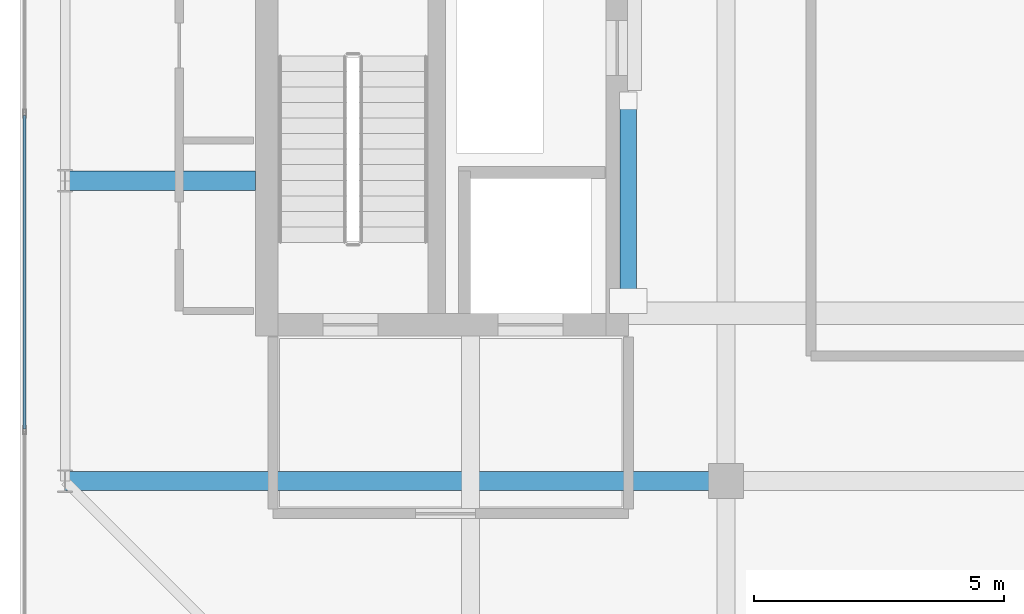
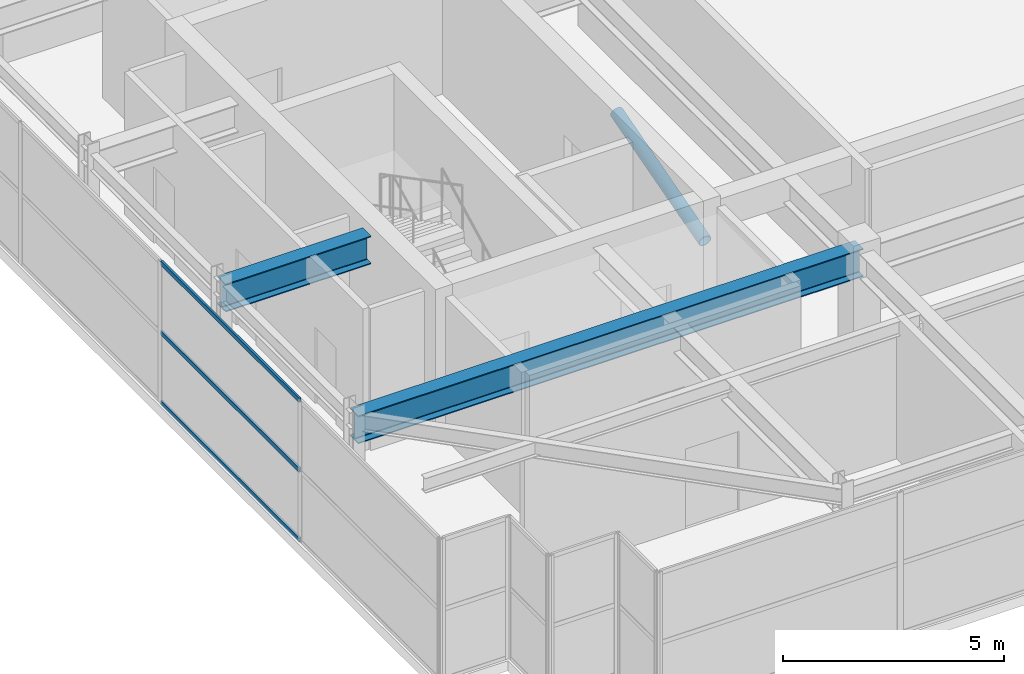
# One storey, part 6 of 32: 4 members, 2 beams, 1 element without a shape of its own.
"""IFC4 building model written with IfcOpenShell, lengths in metres."""

from ifc_helpers import new_model, si_unit, direction, frame, origin, origin_2d, place, context, subcontext, project, spatial, hollow_rectangle, hollow_circle, i_section, extrude, source, transform, mapped, material, layer, layer_set, material_profile, profile_set, type_object, element, aggregate, save


model = new_model("IFC4")

# Units and contexts
model_context = context("Model", 3, precision=1e-05, world=origin(), true_north=direction((0.0, 1.0)))
body_context = subcontext(model_context, "Body", "Model", "MODEL_VIEW")
ifc_project = project(units=[si_unit("LENGTHUNIT", "METRE"), si_unit("AREAUNIT", "SQUARE_METRE"), si_unit("VOLUMEUNIT", "CUBIC_METRE"), si_unit("PLANEANGLEUNIT", "RADIAN"), si_unit("MASSUNIT", "GRAM", prefix="KILO")], contexts=[model_context])

# Site, building, storey
site_placement = place(None, origin())
site = spatial("IfcSite", under=ifc_project, at=site_placement, CompositionType="ELEMENT")
building_placement = place(site_placement, origin())
building = spatial("IfcBuilding", under=site, at=building_placement, Name="Khoralis Quay Care Tower", CompositionType="ELEMENT")
storey_placement = place(building_placement, frame((0.0, 0.0, 297.89990234375)))
storey = spatial("IfcBuildingStorey", under=building, at=storey_placement, Name="L78", CompositionType="ELEMENT", Elevation=297.89990234375)

# Beams
ifc_material_1 = material(Name="Steel S355", Category="steel")
ifc_material_profile_1 = material_profile(ifc_material_1, i_section(OverallWidth=0.381103515625, OverallDepth=0.77294921875, WebThickness=0.0166015625, FlangeThickness=0.027587890625, FilletRadius=0.02197265625, at=origin_2d()), Name="Steel S355")
ifc_profile_set_1 = profile_set([ifc_material_profile_1], Name="Steel S355")
beam_type = type_object("IfcBeamType", Name="BM-W760X257", PredefinedType="BEAM", material=ifc_profile_set_1)
shared_shape_1 = source(origin(), body_context, "Body", "SweptSolid", [
    extrude(i_section(OverallWidth=0.381103515625, OverallDepth=0.77294921875, WebThickness=0.0166015625, FlangeThickness=0.027587890625, FilletRadius=0.02197265625, at=origin_2d()), origin(), (0.0, 0.0, 1.0), 13.2001953125),
])
beam_1_placement = place(storey_placement, frame((3.89990234375, 12.0, 3.53369140625), z_axis=(1.0, 0.0, 0.0), x_axis=(0.0, 1.0, 0.0)))
element("IfcBeam", 1, at=beam_1_placement, inside=storey, type_object=beam_type, Name="BM-TGXW-L78-120", PredefinedType="BEAM", context=body_context, shape_type="MappedRepresentation", body=[
    mapped(shared_shape_1, transform((0.0, 0.0, 0.0), scale=1.0)),
])
shared_shape_2 = source(origin(), body_context, "Body", "SweptSolid", [
    extrude(i_section(OverallWidth=0.381103515625, OverallDepth=0.77294921875, WebThickness=0.0166015625, FlangeThickness=0.027587890625, FilletRadius=0.02197265625, at=origin_2d()), origin(), (0.0, 0.0, 1.0), 3.802001953125),
])
beam_2_placement = place(storey_placement, frame((3.89990234375, 18.0, 3.53369140625), z_axis=(1.0, 0.0, 0.0), x_axis=(0.0, 1.0, 0.0)))
element("IfcBeam", 2, at=beam_2_placement, inside=storey, type_object=beam_type, Name="BM-TGXW-L78-180", PredefinedType="BEAM", context=body_context, shape_type="MappedRepresentation", body=[
    mapped(shared_shape_2, transform((0.0, 0.0, 0.0), scale=1.0)),
])

# Member
ifc_material_profile_2 = material_profile(ifc_material_1, hollow_circle(Radius=0.161865234375, WallThickness=0.01611328125, at=origin_2d()), Name="Steel S355")
ifc_profile_set_2 = profile_set([ifc_material_profile_2], Name="Steel S355")
member_type_1 = type_object("IfcMemberType", Name="ST-CHS323X16", PredefinedType="STRUT", material=ifc_profile_set_2)
shared_shape_3 = source(origin(), body_context, "Body", "SweptSolid", [
    extrude(hollow_circle(Radius=0.161865234375, WallThickness=0.01611328125, at=origin_2d()), origin(), (0.0, 0.0, 1.0), 4.156494140625),
])
member_1_placement = place(storey_placement, frame((15.14794921875, 15.60009765625, 2.52001953125), z_axis=(0.0, 0.962328782221, 0.271888423639), x_axis=(-1.0, 0.0, 0.0)))
element("IfcMember", 3, at=member_1_placement, inside=storey, type_object=member_type_1, Name="L78 Lantern Diagrid Strut 1", PredefinedType="STRUT", context=body_context, shape_type="MappedRepresentation", body=[
    mapped(shared_shape_3, transform((0.0, 0.0, 0.0), scale=1.0)),
])

# Curtain wall, members
ifc_material_2 = material(Name="Pale anodised aluminium", Category="aluminium")
ifc_layer = layer(ifc_material_2, 0.199951171875)
ifc_layer_set = layer_set([ifc_layer], Name="Pale anodised aluminium")
curtain_wall_type = type_object("IfcCurtainWallType", Name="CW-SYS-LANTERN", PredefinedType="NOTDEFINED", material=ifc_layer_set)
curtain_wall_placement = place(storey_placement, origin())
curtain_wall = element("IfcCurtainWall", 4, at=curtain_wall_placement, inside=storey, type_object=curtain_wall_type, Name="L78 Unitised Curtain Wall CW-LN-L78-16", PredefinedType="NOTDEFINED")
ifc_material_profile_3 = material_profile(ifc_material_2, hollow_rectangle(XDim=0.054931640625, YDim=0.1201171875, WallThickness=0.00390625, at=origin_2d()), Name="Pale anodised aluminium")
ifc_profile_set_3 = profile_set([ifc_material_profile_3], Name="Pale anodised aluminium")
member_type_2 = type_object("IfcMemberType", Name="CW-TRN-120", PredefinedType="USERDEFINED", material=ifc_profile_set_3)
shared_shape_4 = source(origin(), body_context, "Body", "SweptSolid", [
    extrude(hollow_rectangle(XDim=0.054931640625, YDim=0.1201171875, WallThickness=0.00390625, at=origin_2d()), origin(), (0.0, 0.0, 1.0), 6.26416015625),
])
member_2_placement = place(storey_placement, frame((3.090087890625, 19.30810546875, 0.030029296875), z_axis=(0.0, -1.0, 0.0), x_axis=(1.0, 0.0, 0.0)))
member_2 = element("IfcMember", 5, at=member_2_placement, type_object=member_type_2, Name="CW5 transom 4.1", ObjectType="TRANSOM", PredefinedType="USERDEFINED", context=body_context, shape_type="MappedRepresentation", body=[
    mapped(shared_shape_4, transform((0.0, 0.0, 0.0), scale=1.0)),
])
member_3_placement = place(storey_placement, frame((3.090087890625, 19.30810546875, 1.960205078125), z_axis=(0.0, -1.0, 0.0), x_axis=(1.0, 0.0, 0.0)))
member_3 = element("IfcMember", 6, at=member_3_placement, type_object=member_type_2, Name="CW5 transom 4.2", ObjectType="TRANSOM", PredefinedType="USERDEFINED", context=body_context, shape_type="MappedRepresentation", body=[
    mapped(shared_shape_4, transform((0.0, 0.0, 0.0), scale=1.0)),
])
member_4_placement = place(storey_placement, frame((3.090087890625, 19.30810546875, 3.89013671875), z_axis=(0.0, -1.0, 0.0), x_axis=(1.0, 0.0, 0.0)))
member_4 = element("IfcMember", 7, at=member_4_placement, type_object=member_type_2, Name="CW5 transom 4.3", ObjectType="TRANSOM", PredefinedType="USERDEFINED", context=body_context, shape_type="MappedRepresentation", body=[
    mapped(shared_shape_4, transform((0.0, 0.0, 0.0), scale=1.0)),
])
aggregate(curtain_wall, [member_2, member_3, member_4])

save(model, "model.ifc")
